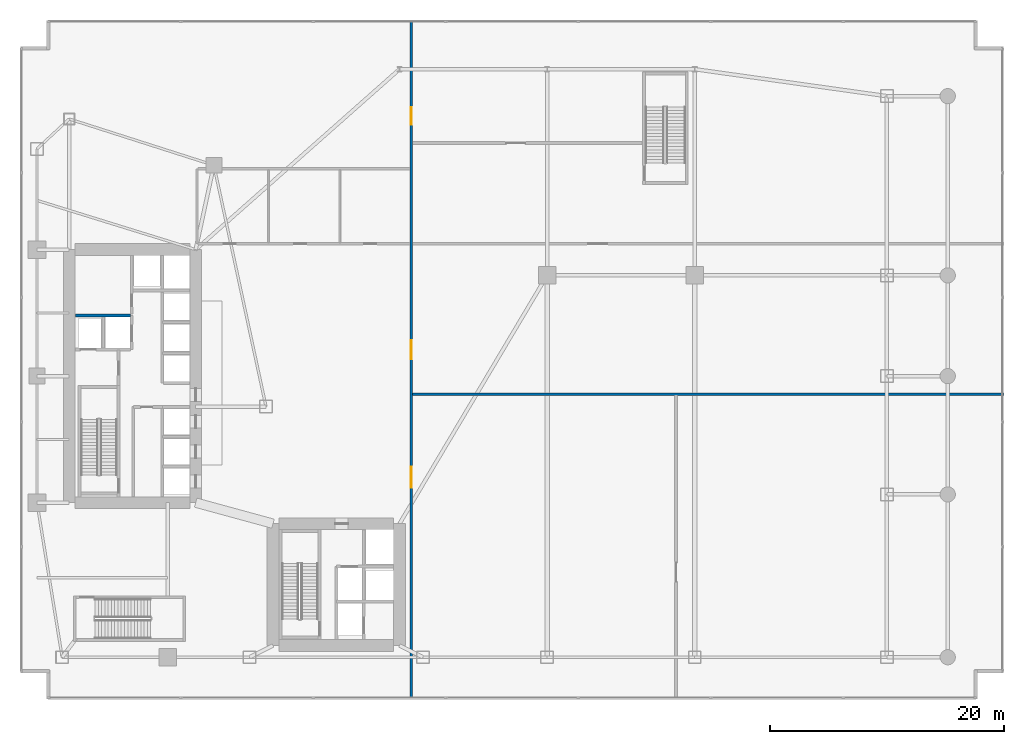
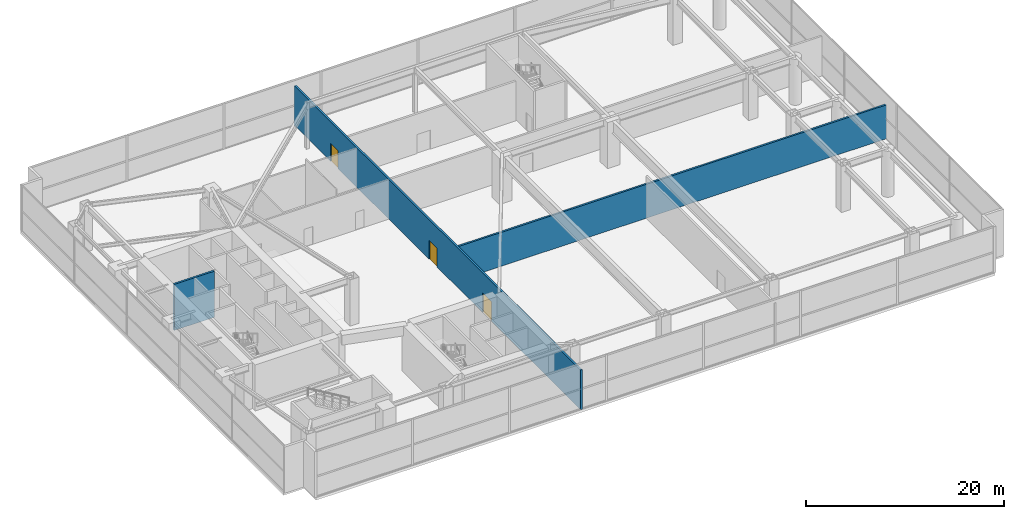
# One storey, part 31 of 35: 3 doors, 3 walls, 3 openings.
"""IFC4 building model written with IfcOpenShell, lengths in metres."""

from ifc_helpers import new_model, si_unit, direction, frame, frame_2d, origin, place, context, subcontext, project, spatial, rectangle, extrude, material, layer, layer_set, type_object, element, fill, save


model = new_model("IFC4")

# Units and contexts
model_context = context("Model", 3, precision=1e-05, world=origin(), true_north=direction((0.0, 1.0)))
body_context = subcontext(model_context, "Body", "Model", "MODEL_VIEW")
ifc_project = project(units=[si_unit("LENGTHUNIT", "METRE"), si_unit("AREAUNIT", "SQUARE_METRE"), si_unit("VOLUMEUNIT", "CUBIC_METRE"), si_unit("PLANEANGLEUNIT", "RADIAN"), si_unit("MASSUNIT", "GRAM", prefix="KILO")], contexts=[model_context])

# Site, building, storey
site_placement = place(None, origin())
site = spatial("IfcSite", under=ifc_project, at=site_placement, CompositionType="ELEMENT")
building_placement = place(site_placement, origin())
building = spatial("IfcBuilding", under=site, at=building_placement, Name="Calvorn Quay Hotel", CompositionType="ELEMENT")
storey_placement = place(building_placement, frame((0.0, 0.0, 6.0)))
storey = spatial("IfcBuildingStorey", under=building, at=storey_placement, Name="L01", CompositionType="ELEMENT", Elevation=6.0)

# Wall, openings, doors
ifc_material_1 = material(Name="Autoclaved Aerated Masonry Block", Category="masonry")
ifc_layer_1 = layer(ifc_material_1, 0.219970703125)
ifc_layer_set_1 = layer_set([ifc_layer_1], Name="WL-LOBBY-FIRE-220")
wall_type_1 = type_object("IfcWallType", Name="WL-LOBBY-FIRE-220", PredefinedType="SOLIDWALL", material=ifc_layer_set_1)
wall_1_placement = place(storey_placement, frame((33.39990234375, 0.06005859375, 0.0), z_axis=(0.0, 0.0, 1.0), x_axis=(0.0, 1.0, 0.0)))
wall_1 = element("IfcWall", 1, at=wall_1_placement, inside=storey, type_object=wall_type_1, Name="Partition Wall L01-WL-L01-BR-W", PredefinedType="SOLIDWALL", context=body_context, shape_type="SweptSolid", body=[
    extrude(rectangle(XDim=57.8798828125, YDim=0.219970703125, at=frame_2d((28.93994140625, 0.0))), origin(), (0.0, 0.0, 1.0), 4.8798828125),
])
opening_1_placement = place(wall_1_placement, frame((18.0, 0.0, 0.0)))
opening_1 = element("IfcOpeningElement", 2, at=opening_1_placement, cuts=wall_1, Name="Opening D-L01-BR1", PredefinedType="OPENING", context=body_context, shape_type="SweptSolid", body=[
    extrude(rectangle(XDim=1.800048828125, YDim=2.39990234375, at=frame_2d((0.89990234375, 1.199951171875))), frame((0.0, 0.119873046875, 0.0), z_axis=(0.0, -1.0, 0.0), x_axis=(1.0, 0.0, 0.0)), (0.0, 0.0, 1.0), 0.239990234375),
])
opening_2_placement = place(wall_1_placement, frame((29.0, 0.0, 0.0)))
opening_2 = element("IfcOpeningElement", 3, at=opening_2_placement, cuts=wall_1, Name="Opening D-L01-BR2", PredefinedType="OPENING", context=body_context, shape_type="SweptSolid", body=[
    extrude(rectangle(XDim=1.60009765625, YDim=2.35009765625, at=frame_2d((0.800048828125, 1.175048828125))), frame((0.0, 0.119873046875, 0.0), z_axis=(0.0, -1.0, 0.0), x_axis=(1.0, 0.0, 0.0)), (0.0, 0.0, 1.0), 0.239990234375),
])
opening_3_placement = place(wall_1_placement, frame((49.0, 0.0, 0.0)))
opening_3 = element("IfcOpeningElement", 4, at=opening_3_placement, cuts=wall_1, Name="Opening D-L01-VIP", PredefinedType="OPENING", context=body_context, shape_type="SweptSolid", body=[
    extrude(rectangle(XDim=1.5, YDim=2.219970703125, at=frame_2d((0.75, 1.10986328125))), frame((0.0, 0.119873046875, 0.0), z_axis=(0.0, -1.0, 0.0), x_axis=(1.0, 0.0, 0.0)), (0.0, 0.0, 1.0), 0.239990234375),
])
ifc_material_2 = material(Name="Acoustic Hardwood Double Fire Door", Category="wood")
door_type_1 = type_object("IfcDoorType", Name="DR-BALLROOM-DBL-1800", OperationType="NOTDEFINED", PredefinedType="DOOR", material=ifc_material_2)
door_1_placement = place(opening_1_placement, origin())
door_1 = element("IfcDoor", 5, at=door_1_placement, inside=storey, type_object=door_type_1, Name="Grand Ballroom South Door", OperationType="SINGLE_SWING_LEFT", OverallHeight=2.39990234375, OverallWidth=1.800048828125, PredefinedType="DOOR", context=body_context, shape_type="SweptSolid", body=[
    extrude(rectangle(XDim=1.800048828125, YDim=2.39990234375, at=frame_2d((0.89990234375, 1.199951171875))), frame((0.0, 0.02490234375, 0.0), z_axis=(0.0, -1.0, 0.0), x_axis=(1.0, 0.0, 0.0)), (0.0, 0.0, 1.0), 0.050048828125),
])
fill(opening_1, door_1)
ifc_material_3 = material(Name="Heavy-Duty Steel Acoustic Plant Fire Door", Category="steel")
door_type_2 = type_object("IfcDoorType", Name="DR-PLANT-DBL-1600", OperationType="NOTDEFINED", PredefinedType="DOOR", material=ifc_material_3)
door_2_placement = place(opening_2_placement, origin())
door_2 = element("IfcDoor", 6, at=door_2_placement, inside=storey, type_object=door_type_2, Name="Ballroom AV Plant Door", OperationType="SINGLE_SWING_RIGHT", OverallHeight=2.35009765625, OverallWidth=1.60009765625, PredefinedType="DOOR", context=body_context, shape_type="SweptSolid", body=[
    extrude(rectangle(XDim=1.60009765625, YDim=2.35009765625, at=frame_2d((0.800048828125, 1.175048828125))), frame((0.0, 0.02490234375, 0.0), z_axis=(0.0, -1.0, 0.0), x_axis=(1.0, 0.0, 0.0)), (0.0, 0.0, 1.0), 0.050048828125),
])
fill(opening_2, door_2)
ifc_material_4 = material(Name="Solid-Core Walnut Double Suite Entry Door")
door_type_3 = type_object("IfcDoorType", Name="DR-SUITE-DBL-1500", OperationType="NOTDEFINED", PredefinedType="DOOR", material=ifc_material_4)
door_3_placement = place(opening_3_placement, origin())
door_3 = element("IfcDoor", 7, at=door_3_placement, inside=storey, type_object=door_type_3, Name="VIP Salon Door", OperationType="SINGLE_SWING_LEFT", OverallHeight=2.219970703125, OverallWidth=1.5, PredefinedType="DOOR", context=body_context, shape_type="SweptSolid", body=[
    extrude(rectangle(XDim=1.5, YDim=2.219970703125, at=frame_2d((0.75, 1.10986328125))), frame((0.0, 0.02490234375, 0.0), z_axis=(0.0, -1.0, 0.0), x_axis=(1.0, 0.0, 0.0)), (0.0, 0.0, 1.0), 0.050048828125),
])
fill(opening_3, door_3)

# Walls
wall_2_placement = place(storey_placement, frame((33.52001953125, 26.050048828125, 0.0), z_axis=(0.0, 0.0, 1.0), x_axis=(1.0, 0.0, 0.0)))
element("IfcWall", 8, at=wall_2_placement, inside=storey, type_object=wall_type_1, Name="Partition Wall L01-WL-L01-BR-H", PredefinedType="SOLIDWALL", context=body_context, shape_type="SweptSolid", body=[
    extrude(rectangle(XDim=50.419921875, YDim=0.219970703125, at=frame_2d((25.2099609375, 0.0))), origin(), (0.0, 0.0, 1.0), 4.179931640625),
])
ifc_material_5 = material(Name="Concrete C40", Category="concrete")
ifc_layer_2 = layer(ifc_material_5, 0.239990234375)
ifc_layer_set_2 = layer_set([ifc_layer_2], Name="WL-SHAFT-240")
wall_type_2 = type_object("IfcWallType", Name="WL-SHAFT-240", PredefinedType="SOLIDWALL", material=ifc_layer_set_2)
wall_3_placement = place(storey_placement, frame((4.719970703125, 32.780029296875, 0.0), z_axis=(0.0, 0.0, 1.0), x_axis=(1.0, 0.0, 0.0)))
element("IfcWall", 9, at=wall_3_placement, inside=storey, type_object=wall_type_2, Name="Partition Wall L01-WL-CWW-SLW-N", PredefinedType="SOLIDWALL", context=body_context, shape_type="SweptSolid", body=[
    extrude(rectangle(XDim=4.699951171875, YDim=0.239990234375, at=frame_2d((2.35009765625, 0.0))), origin(), (0.0, 0.0, 1.0), 5.679931640625),
])

save(model, "model.ifc")
